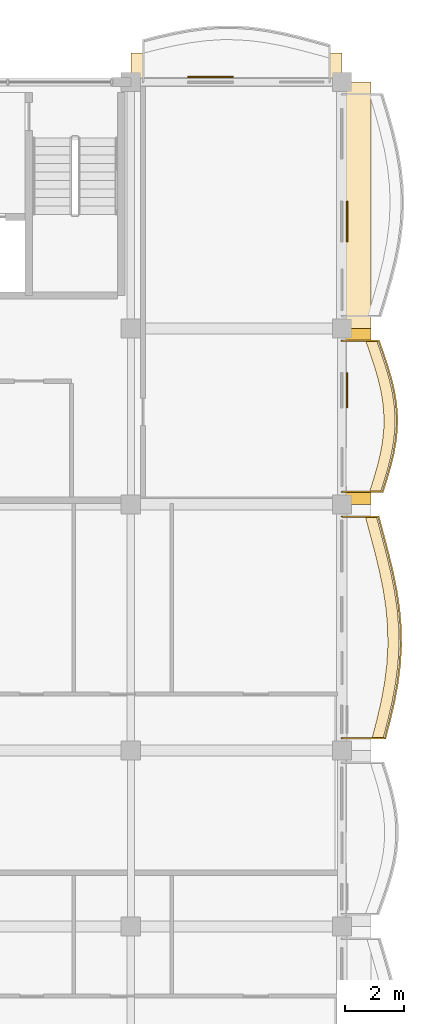
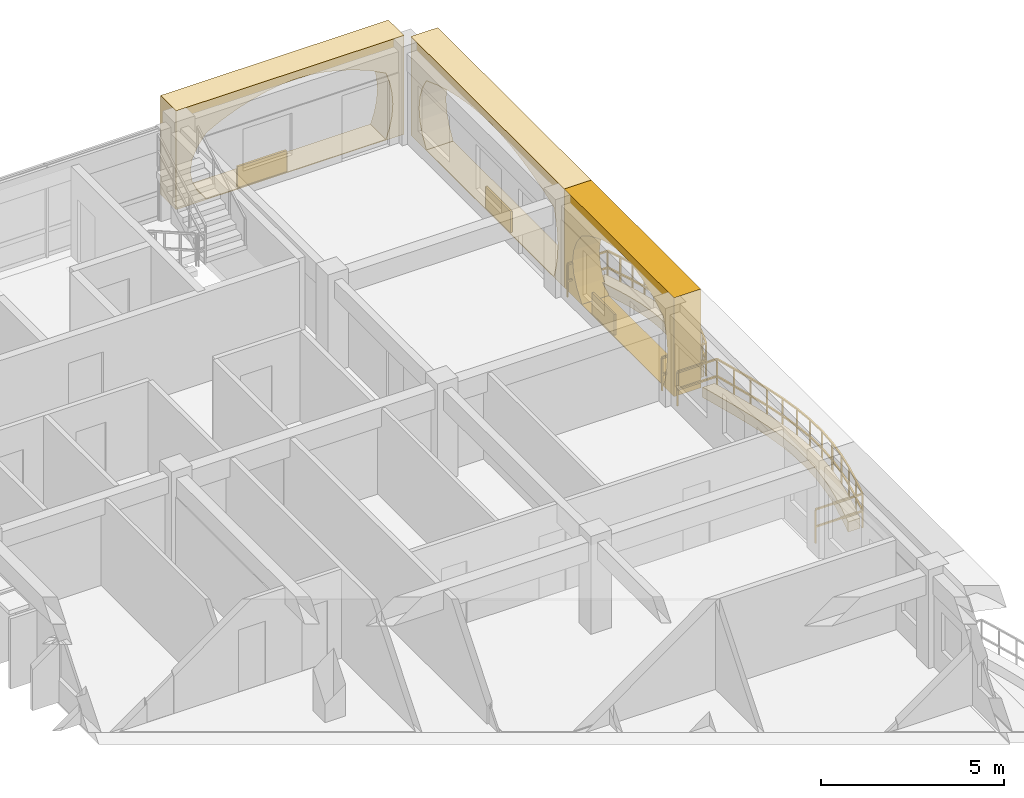
# One storey, part 65 of 66: 8 coverings, 2 railings.
"""IFC4 building model written with IfcOpenShell, lengths in metres."""

from ifc_helpers import new_model, si_unit, direction, frame, origin, origin_2d, place, context, subcontext, project, spatial, polyline, rectangle, outline, extrude, material, layer, layer_set, type_object, element, save


model = new_model("IFC4")

# Units and contexts
model_context = context("Model", 3, precision=1e-05, world=origin(), true_north=direction((0.0, 1.0)))
body_context = subcontext(model_context, "Body", "Model", "MODEL_VIEW")
ifc_project = project(units=[si_unit("LENGTHUNIT", "METRE"), si_unit("AREAUNIT", "SQUARE_METRE"), si_unit("VOLUMEUNIT", "CUBIC_METRE"), si_unit("PLANEANGLEUNIT", "RADIAN"), si_unit("MASSUNIT", "GRAM", prefix="KILO"), si_unit("THERMODYNAMICTEMPERATUREUNIT", "KELVIN")], contexts=[model_context])

# Site, building, storey
site_placement = place(None, origin())
site = spatial("IfcSite", under=ifc_project, at=site_placement, CompositionType="ELEMENT")
building_placement = place(site_placement, origin())
building = spatial("IfcBuilding", under=site, at=building_placement, Name="Thalorik Housing Commons", CompositionType="ELEMENT")
storey_placement = place(building_placement, frame((0.0, 0.0, 21.300048828125)))
storey = spatial("IfcBuildingStorey", under=building, at=storey_placement, Name="L06", CompositionType="ELEMENT", Elevation=21.300048828125)

# Coverings
ifc_material_1 = material(Name="Cobalt blue glazed ceramic facade tile panel", Category="masonry")
ifc_layer_1 = layer(ifc_material_1, 0.06005859375, Name="Cobalt blue glazed ceramic facade tile panel", Category="masonry")
ifc_layer_set_1 = layer_set([ifc_layer_1], Name="Cobalt blue glazed ceramic facade tile panel")
covering_type_1 = type_object("IfcCoveringType", Name="ARC-CLD-BLU-60", PredefinedType="CLADDING", material=ifc_layer_set_1)
covering_1_placement = place(storey_placement, frame((174.172607421875, 118.840087890625, 0.0498046875), z_axis=(0.0, 0.0, 1.0), x_axis=(0.0, 1.0, 0.0)))
element("IfcCovering", 1, at=covering_1_placement, inside=storey, type_object=covering_type_1, Name="L06 De Stijl Recessed Window Spandrel 2365", PredefinedType="CLADDING", context=body_context, shape_type="SweptSolid", body=[
    extrude(rectangle(XDim=1.3798828125, YDim=0.06005859375, at=origin_2d()), origin(), (0.0, 0.0, 1.0), 0.699951171875),
])
ifc_material_2 = material(Name="Precast concrete C40/50", Category="concrete")
ifc_layer_2 = layer(ifc_material_2, 0.85009765625, Name="Precast concrete C40/50", Category="concrete")
ifc_layer_set_2 = layer_set([ifc_layer_2], Name="Precast concrete C40/50")
covering_type_2 = type_object("IfcCoveringType", Name="ARC-CLD-CUSH-850", PredefinedType="CLADDING", material=ifc_layer_set_2)
covering_2_placement = place(storey_placement, frame((174.5625, 112.199951171875, 0.0), z_axis=(0.0, 0.0, 1.0), x_axis=(0.0, 1.0, 0.0)))
element("IfcCovering", 2, at=covering_2_placement, inside=storey, type_object=covering_type_2, Name="L06 White Precast Curved Cushion Bay Frame 2362", PredefinedType="CLADDING", context=body_context, shape_type="SweptSolid", body=[
    extrude(outline(polyline([(-3.0, 0.0), (3.0, 0.0), (3.0, 3.300048828125), (-3.0, 3.300048828125), (-3.0, 0.0)]), holes=[polyline([(2.0400390625, 0.02490234375), (2.3232421875, 0.407470703125), (2.493408203125, 0.7900390625), (2.550048828125, 1.172607421875), (2.493408203125, 1.554931640625), (2.3232421875, 1.9375), (2.0400390625, 2.320068359375), (1.66748046875, 2.539306640625), (1.294921875, 2.711181640625), (0.922607421875, 2.8505859375), (0.550048828125, 2.954345703125), (0.177490234375, 3.018310546875), (-0.195068359375, 3.0400390625), (-0.5673828125, 3.018310546875), (-0.93994140625, 2.954345703125), (-1.3125, 2.8505859375), (-1.68505859375, 2.711181640625), (-2.0576171875, 2.539306640625), (-2.429931640625, 2.320068359375), (-2.55029296875, 1.9375), (-2.62255859375, 1.554931640625), (-2.646484375, 1.172607421875), (-2.62255859375, 0.7900390625), (-2.55029296875, 0.407470703125), (-2.429931640625, 0.02490234375), (2.0400390625, 0.02490234375)])]), frame((0.0, 0.425048828125, 0.0), z_axis=(0.0, -1.0, 0.0), x_axis=(1.0, 0.0, 0.0)), (0.0, 0.0, 1.0), 0.85009765625),
])
covering_3_placement = place(storey_placement, frame((174.5625, 119.39990234375, 0.0), z_axis=(0.0, 0.0, 1.0), x_axis=(0.0, 1.0, 0.0)))
element("IfcCovering", 3, at=covering_3_placement, inside=storey, type_object=covering_type_2, Name="L06 White Precast Curved Cushion Bay Frame 2364", PredefinedType="CLADDING", context=body_context, shape_type="SweptSolid", body=[
    extrude(outline(polyline([(-4.199951171875, 0.0), (4.199951171875, 0.0), (4.199951171875, 3.300048828125), (-4.199951171875, 3.300048828125), (-4.199951171875, 0.0)]), holes=[polyline([(3.35009765625, 0.02490234375), (3.572265625, 0.410888671875), (3.70556640625, 0.796630859375), (3.75, 1.1826171875), (3.70556640625, 1.568359375), (3.572265625, 1.9541015625), (3.35009765625, 2.340087890625), (2.768310546875, 2.552978515625), (2.186767578125, 2.720458984375), (1.60498046875, 2.85595703125), (1.023193359375, 2.956787109375), (0.441650390625, 3.01904296875), (-0.139892578125, 3.0400390625), (-0.7216796875, 3.01904296875), (-1.30322265625, 2.956787109375), (-1.885009765625, 2.85595703125), (-2.466796875, 2.720458984375), (-3.04833984375, 2.552978515625), (-3.6298828125, 2.340087890625), (-3.750244140625, 1.9541015625), (-3.822509765625, 1.568359375), (-3.8466796875, 1.1826171875), (-3.822509765625, 0.796630859375), (-3.750244140625, 0.410888671875), (-3.6298828125, 0.02490234375), (3.35009765625, 0.02490234375)])]), frame((0.0, 0.425048828125, 0.0), z_axis=(0.0, -1.0, 0.0), x_axis=(1.0, 0.0, 0.0)), (0.0, 0.0, 1.0), 0.85009765625),
])
covering_4_placement = place(storey_placement, frame((170.39990234375, 124.16259765625, 0.0), z_axis=(0.0, 0.0, 1.0), x_axis=(-1.0, 0.0, 0.0)))
element("IfcCovering", 4, at=covering_4_placement, inside=storey, type_object=covering_type_2, Name="L06 White Precast Curved Cushion Bay Frame 2366", PredefinedType="CLADDING", context=body_context, shape_type="SweptSolid", body=[
    extrude(outline(polyline([(-3.60009765625, 0.0), (3.60009765625, 0.0), (3.60009765625, 3.300048828125), (-3.60009765625, 3.300048828125), (-3.60009765625, 0.0)]), holes=[polyline([(2.639892578125, 0.02490234375), (2.92333984375, 0.394287109375), (3.09326171875, 0.76318359375), (3.14990234375, 1.132568359375), (3.09326171875, 1.501708984375), (2.92333984375, 1.870849609375), (2.639892578125, 2.239990234375), (2.16748046875, 2.4833984375), (1.695068359375, 2.6748046875), (1.222412109375, 2.82958984375), (0.75, 2.94482421875), (0.277587890625, 3.01611328125), (-0.195068359375, 3.0400390625), (-0.66748046875, 3.01611328125), (-1.139892578125, 2.94482421875), (-1.612548828125, 2.82958984375), (-2.0849609375, 2.6748046875), (-2.5576171875, 2.4833984375), (-3.030029296875, 2.239990234375), (-3.150390625, 1.870849609375), (-3.222412109375, 1.501708984375), (-3.24658203125, 1.132568359375), (-3.222412109375, 0.76318359375), (-3.150390625, 0.394287109375), (-3.030029296875, 0.02490234375), (2.639892578125, 0.02490234375)])]), frame((0.0, 0.425048828125, 0.0), z_axis=(0.0, -1.0, 0.0), x_axis=(1.0, 0.0, 0.0)), (0.0, 0.0, 1.0), 0.85009765625),
])
ifc_material_3 = material(Name="Terracotta red mineral fibre-cement panel", Category="masonry")
ifc_layer_3 = layer(ifc_material_3, 0.054931640625, Name="Terracotta red mineral fibre-cement panel", Category="masonry")
ifc_layer_set_3 = layer_set([ifc_layer_3], Name="Terracotta red mineral fibre-cement panel")
covering_type_3 = type_object("IfcCoveringType", Name="ARC-CLD-RED-55", PredefinedType="CLADDING", material=ifc_layer_set_3)
covering_5_placement = place(storey_placement, frame((174.169921875, 113.090087890625, 0.0498046875), z_axis=(0.0, 0.0, 1.0), x_axis=(0.0, 1.0, 0.0)))
element("IfcCovering", 5, at=covering_5_placement, inside=storey, type_object=covering_type_3, Name="L06 De Stijl Recessed Window Spandrel 2363", PredefinedType="CLADDING", context=body_context, shape_type="SweptSolid", body=[
    extrude(rectangle(XDim=1.199951171875, YDim=0.054931640625, at=origin_2d()), origin(), (0.0, 0.0, 1.0), 0.699951171875),
])
ifc_material_4 = material(Name="Mineral ochre architectural terracotta panel", Category="masonry")
ifc_layer_4 = layer(ifc_material_4, 0.06494140625, Name="Mineral ochre architectural terracotta panel", Category="masonry")
ifc_layer_set_4 = layer_set([ifc_layer_4], Name="Mineral ochre architectural terracotta panel")
covering_type_4 = type_object("IfcCoveringType", Name="ARC-CLD-YEL-65", PredefinedType="CLADDING", material=ifc_layer_set_4)
covering_6_placement = place(storey_placement, frame((169.52490234375, 123.77490234375, 0.0498046875), z_axis=(0.0, 0.0, 1.0), x_axis=(-1.0, 0.0, 0.0)))
element("IfcCovering", 6, at=covering_6_placement, inside=storey, type_object=covering_type_4, Name="L06 De Stijl Recessed Window Spandrel 2367", PredefinedType="CLADDING", context=body_context, shape_type="SweptSolid", body=[
    extrude(rectangle(XDim=1.550048828125, YDim=0.06494140625, at=origin_2d()), origin(), (0.0, 0.0, 1.0), 0.699951171875),
])
ifc_material_5 = material(Name="Planted vegetated substrate and terracotta trough", Category="masonry")
ifc_layer_5 = layer(ifc_material_5, 0.340087890625, Name="Planted vegetated substrate and terracotta trough", Category="masonry")
ifc_layer_set_5 = layer_set([ifc_layer_5], Name="Planted vegetated substrate and terracotta trough")
covering_type_5 = type_object("IfcCoveringType", Name="ARC-COV-PLANTER", PredefinedType="USERDEFINED", material=ifc_layer_set_5)
covering_7_placement = place(storey_placement, origin())
element("IfcCovering", 7, at=covering_7_placement, inside=storey, type_object=covering_type_5, Name="L06 Balcony Slab-Edge Planted Trough 5496", ObjectType="PLANTER", PredefinedType="USERDEFINED", context=body_context, shape_type="SweptSolid", body=[
    extrude(outline(polyline([(175.32373046875, 109.6201171875), (175.4599609375, 110.050048828125), (175.58544921875, 110.47998046875), (175.690673828125, 110.909912109375), (175.767578125, 111.340087890625), (175.810791015625, 111.77001953125), (175.816650390625, 112.199951171875), (175.783935546875, 112.6298828125), (175.714599609375, 113.06005859375), (175.61328125, 113.489990234375), (175.486572265625, 113.919921875), (175.34326171875, 114.35009765625), (175.193115234375, 114.780029296875), (174.81298828125, 114.780029296875), (174.963134765625, 114.35009765625), (175.1064453125, 113.919921875), (175.233154296875, 113.489990234375), (175.334716796875, 113.06005859375), (175.40380859375, 112.6298828125), (175.4365234375, 112.199951171875), (175.430908203125, 111.77001953125), (175.3876953125, 111.340087890625), (175.310546875, 110.909912109375), (175.205322265625, 110.47998046875), (175.080078125, 110.050048828125), (174.943603515625, 109.6201171875), (175.32373046875, 109.6201171875)])), origin(), (0.0, 0.0, 1.0), 0.33984375),
])
covering_8_placement = place(storey_placement, origin())
element("IfcCovering", 8, at=covering_8_placement, inside=storey, type_object=covering_type_5, Name="L06 Balcony Slab-Edge Planted Trough 5501", ObjectType="PLANTER", PredefinedType="USERDEFINED", context=body_context, shape_type="SweptSolid", body=[
    extrude(outline(polyline([(175.4111328125, 101.219970703125), (175.576171875, 101.85009765625), (175.721435546875, 102.47998046875), (175.837158203125, 103.110107421875), (175.915283203125, 103.739990234375), (175.950927734375, 104.3701171875), (175.94189453125, 105.0), (175.888671875, 105.6298828125), (175.795166015625, 106.260009765625), (175.668212890625, 106.889892578125), (175.5166015625, 107.52001953125), (175.3505859375, 108.14990234375), (175.181884765625, 108.780029296875), (174.802001953125, 108.780029296875), (174.970703125, 108.14990234375), (175.13671875, 107.52001953125), (175.2880859375, 106.889892578125), (175.415283203125, 106.260009765625), (175.508544921875, 105.6298828125), (175.561767578125, 105.0), (175.571044921875, 104.3701171875), (175.535400390625, 103.739990234375), (175.45703125, 103.110107421875), (175.34130859375, 102.47998046875), (175.196044921875, 101.85009765625), (175.03125, 101.219970703125), (175.4111328125, 101.219970703125)])), origin(), (0.0, 0.0, 1.0), 0.33984375),
])

# Railings
ifc_material_6 = material(Name="Steel S355", Category="steel")
railing_type_1 = type_object("IfcRailingType", Name="ARC-RL-BAL-112", PredefinedType="BALUSTRADE", material=ifc_material_6)
railing_1_placement = place(storey_placement, frame((174.0, 109.6201171875, 0.0)))
element("IfcRailing", 9, at=railing_1_placement, inside=storey, type_object=railing_type_1, Name="L06 Cushion Balcony Guardrail 180", PredefinedType="BALUSTRADE", context=body_context, shape_type="SweptSolid", body=[
    extrude(rectangle(XDim=0.050048828125, YDim=0.050048828125, at=origin_2d()), frame((0.0, 0.0, 1.09521484375), z_axis=(1.0, 0.0, 0.0), x_axis=(0.0, 1.0, 0.0)), (0.0, 0.0, 1.0), 1.393798828125),
    extrude(rectangle(XDim=0.050048828125, YDim=0.050048828125, at=origin_2d()), frame((0.0, 0.0, 0.53515625), z_axis=(1.0, 0.0, 0.0), x_axis=(0.0, 1.0, 0.0)), (0.0, 0.0, 1.0), 1.393798828125),
    extrude(rectangle(XDim=0.050048828125, YDim=0.050048828125, at=origin_2d()), frame((1.393798828125, 0.0, 1.09521484375), z_axis=(0.302063898652, 0.953287680153, 0.0), x_axis=(-0.953287680153, 0.302063898652, 0.0)), (0.0, 0.0, 1.0), 0.450927734375),
    extrude(rectangle(XDim=0.050048828125, YDim=0.050048828125, at=origin_2d()), frame((1.393798828125, 0.0, 0.53515625), z_axis=(0.302063898652, 0.953287680153, 0.0), x_axis=(-0.953287680153, 0.302063898652, 0.0)), (0.0, 0.0, 1.0), 0.450927734375),
    extrude(rectangle(XDim=0.050048828125, YDim=0.050048828125, at=origin_2d()), frame((1.530029296875, 0.429931640625, 1.09521484375), z_axis=(0.280188385866, 0.959945034065, 0.0), x_axis=(-0.959945034065, 0.280188385866, 0.0)), (0.0, 0.0, 1.0), 0.44775390625),
    extrude(rectangle(XDim=0.050048828125, YDim=0.050048828125, at=origin_2d()), frame((1.530029296875, 0.429931640625, 0.53515625), z_axis=(0.280188385866, 0.959945034065, 0.0), x_axis=(-0.959945034065, 0.280188385866, 0.0)), (0.0, 0.0, 1.0), 0.44775390625),
    extrude(rectangle(XDim=0.050048828125, YDim=0.050048828125, at=origin_2d()), frame((1.655517578125, 0.85986328125, 1.09521484375), z_axis=(0.23721016101, 0.971458357066, 0.0), x_axis=(-0.971458357066, 0.23721016101, 0.0)), (0.0, 0.0, 1.0), 0.442626953125),
    extrude(rectangle(XDim=0.050048828125, YDim=0.050048828125, at=origin_2d()), frame((1.655517578125, 0.85986328125, 0.53515625), z_axis=(0.23721016101, 0.971458357066, 0.0), x_axis=(-0.971458357066, 0.23721016101, 0.0)), (0.0, 0.0, 1.0), 0.442626953125),
    extrude(rectangle(XDim=0.050048828125, YDim=0.050048828125, at=origin_2d()), frame((1.760498046875, 1.289794921875, 1.09521484375), z_axis=(0.17652529448, 0.98429610403, 0.0), x_axis=(-0.98429610403, 0.17652529448, 0.0)), (0.0, 0.0, 1.0), 0.43701171875),
    extrude(rectangle(XDim=0.050048828125, YDim=0.050048828125, at=origin_2d()), frame((1.760498046875, 1.289794921875, 0.53515625), z_axis=(0.17652529448, 0.98429610403, 0.0), x_axis=(-0.98429610403, 0.17652529448, 0.0)), (0.0, 0.0, 1.0), 0.43701171875),
    extrude(rectangle(XDim=0.050048828125, YDim=0.050048828125, at=origin_2d()), frame((1.837646484375, 1.719970703125, 1.09521484375), z_axis=(0.100007182618, 0.9949867152, 0.0), x_axis=(-0.9949867152, 0.100007182618, 0.0)), (0.0, 0.0, 1.0), 0.43212890625),
    extrude(rectangle(XDim=0.050048828125, YDim=0.050048828125, at=origin_2d()), frame((1.837646484375, 1.719970703125, 0.53515625), z_axis=(0.100007182618, 0.9949867152, 0.0), x_axis=(-0.9949867152, 0.100007182618, 0.0)), (0.0, 0.0, 1.0), 0.43212890625),
    extrude(rectangle(XDim=0.050048828125, YDim=0.050048828125, at=origin_2d()), frame((1.880859375, 2.14990234375, 1.09521484375), z_axis=(0.013627354593, 0.999907143292, 0.0), x_axis=(-0.999907143292, 0.013627354593, 0.0)), (0.0, 0.0, 1.0), 0.429931640625),
    extrude(rectangle(XDim=0.050048828125, YDim=0.050048828125, at=origin_2d()), frame((1.880859375, 2.14990234375, 0.53515625), z_axis=(0.013627354593, 0.999907143292, 0.0), x_axis=(-0.999907143292, 0.013627354593, 0.0)), (0.0, 0.0, 1.0), 0.429931640625),
    extrude(rectangle(XDim=0.050048828125, YDim=0.050048828125, at=origin_2d()), frame((1.88671875, 2.579833984375, 1.09521484375), z_axis=(-0.075873785115, 0.997117429761, 0.0), x_axis=(-0.997117429761, -0.075873785115, 0.0)), (0.0, 0.0, 1.0), 0.43115234375),
    extrude(rectangle(XDim=0.050048828125, YDim=0.050048828125, at=origin_2d()), frame((1.88671875, 2.579833984375, 0.53515625), z_axis=(-0.075873785115, 0.997117429761, 0.0), x_axis=(-0.997117429761, -0.075873785115, 0.0)), (0.0, 0.0, 1.0), 0.43115234375),
    extrude(rectangle(XDim=0.050048828125, YDim=0.050048828125, at=origin_2d()), frame((1.85400390625, 3.009765625, 1.09521484375), z_axis=(-0.159126741351, 0.987258162887, 0.0), x_axis=(-0.987258162887, -0.159126741351, 0.0)), (0.0, 0.0, 1.0), 0.435791015625),
    extrude(rectangle(XDim=0.050048828125, YDim=0.050048828125, at=origin_2d()), frame((1.85400390625, 3.009765625, 0.53515625), z_axis=(-0.159126741351, 0.987258162887, 0.0), x_axis=(-0.987258162887, -0.159126741351, 0.0)), (0.0, 0.0, 1.0), 0.435791015625),
    extrude(rectangle(XDim=0.050048828125, YDim=0.050048828125, at=origin_2d()), frame((1.78466796875, 3.43994140625, 1.09521484375), z_axis=(-0.229901737727, 0.973213846485, 0.0), x_axis=(-0.973213846485, -0.229901737727, 0.0)), (0.0, 0.0, 1.0), 0.441650390625),
    extrude(rectangle(XDim=0.050048828125, YDim=0.050048828125, at=origin_2d()), frame((1.78466796875, 3.43994140625, 0.53515625), z_axis=(-0.229901737727, 0.973213846485, 0.0), x_axis=(-0.973213846485, -0.229901737727, 0.0)), (0.0, 0.0, 1.0), 0.441650390625),
    extrude(rectangle(XDim=0.050048828125, YDim=0.050048828125, at=origin_2d()), frame((1.68310546875, 3.869873046875, 1.09521484375), z_axis=(-0.28269709896, 0.959209231732, 0.0), x_axis=(-0.959209231732, -0.28269709896, 0.0)), (0.0, 0.0, 1.0), 0.4482421875),
    extrude(rectangle(XDim=0.050048828125, YDim=0.050048828125, at=origin_2d()), frame((1.68310546875, 3.869873046875, 0.53515625), z_axis=(-0.28269709896, 0.959209231732, 0.0), x_axis=(-0.959209231732, -0.28269709896, 0.0)), (0.0, 0.0, 1.0), 0.4482421875),
    extrude(rectangle(XDim=0.050048828125, YDim=0.050048828125, at=origin_2d()), frame((1.556396484375, 4.2998046875, 1.09521484375), z_axis=(-0.316066228437, 0.94873712863, 0.0), x_axis=(-0.94873712863, -0.316066228437, 0.0)), (0.0, 0.0, 1.0), 0.453369140625),
    extrude(rectangle(XDim=0.050048828125, YDim=0.050048828125, at=origin_2d()), frame((1.556396484375, 4.2998046875, 0.53515625), z_axis=(-0.316066228437, 0.94873712863, 0.0), x_axis=(-0.94873712863, -0.316066228437, 0.0)), (0.0, 0.0, 1.0), 0.453369140625),
    extrude(rectangle(XDim=0.050048828125, YDim=0.050048828125, at=origin_2d()), frame((1.4130859375, 4.72998046875, 1.09521484375), z_axis=(-0.329705586874, 0.944083802416, 0.0), x_axis=(-0.944083802416, -0.329705586874, 0.0)), (0.0, 0.0, 1.0), 0.455322265625),
    extrude(rectangle(XDim=0.050048828125, YDim=0.050048828125, at=origin_2d()), frame((1.4130859375, 4.72998046875, 0.53515625), z_axis=(-0.329705586874, 0.944083802416, 0.0), x_axis=(-0.944083802416, -0.329705586874, 0.0)), (0.0, 0.0, 1.0), 0.455322265625),
    extrude(rectangle(XDim=0.050048828125, YDim=0.050048828125, at=origin_2d()), frame((1.262939453125, 5.159912109375, 1.09521484375), z_axis=(-1.0, 0.0, 0.0), x_axis=(0.0, -1.0, 0.0)), (0.0, 0.0, 1.0), 1.262939453125),
    extrude(rectangle(XDim=0.050048828125, YDim=0.050048828125, at=origin_2d()), frame((1.262939453125, 5.159912109375, 0.53515625), z_axis=(-1.0, 0.0, 0.0), x_axis=(0.0, -1.0, 0.0)), (0.0, 0.0, 1.0), 1.262939453125),
    extrude(rectangle(XDim=0.0419921875, YDim=0.0419921875, at=origin_2d()), origin(), (0.0, 0.0, 1.0), 1.070068359375),
    extrude(rectangle(XDim=0.0419921875, YDim=0.0419921875, at=origin_2d()), frame((1.393798828125, 0.0, 0.0)), (0.0, 0.0, 1.0), 1.070068359375),
    extrude(rectangle(XDim=0.0419921875, YDim=0.0419921875, at=origin_2d()), frame((1.530029296875, 0.429931640625, 0.0)), (0.0, 0.0, 1.0), 1.070068359375),
    extrude(rectangle(XDim=0.0419921875, YDim=0.0419921875, at=origin_2d()), frame((1.655517578125, 0.85986328125, 0.0)), (0.0, 0.0, 1.0), 1.070068359375),
    extrude(rectangle(XDim=0.0419921875, YDim=0.0419921875, at=origin_2d()), frame((1.760498046875, 1.289794921875, 0.0)), (0.0, 0.0, 1.0), 1.070068359375),
    extrude(rectangle(XDim=0.0419921875, YDim=0.0419921875, at=origin_2d()), frame((1.837646484375, 1.719970703125, 0.0)), (0.0, 0.0, 1.0), 1.070068359375),
    extrude(rectangle(XDim=0.0419921875, YDim=0.0419921875, at=origin_2d()), frame((1.880859375, 2.14990234375, 0.0)), (0.0, 0.0, 1.0), 1.070068359375),
    extrude(rectangle(XDim=0.0419921875, YDim=0.0419921875, at=origin_2d()), frame((1.88671875, 2.579833984375, 0.0)), (0.0, 0.0, 1.0), 1.070068359375),
    extrude(rectangle(XDim=0.0419921875, YDim=0.0419921875, at=origin_2d()), frame((1.85400390625, 3.009765625, 0.0)), (0.0, 0.0, 1.0), 1.070068359375),
    extrude(rectangle(XDim=0.0419921875, YDim=0.0419921875, at=origin_2d()), frame((1.78466796875, 3.43994140625, 0.0)), (0.0, 0.0, 1.0), 1.070068359375),
    extrude(rectangle(XDim=0.0419921875, YDim=0.0419921875, at=origin_2d()), frame((1.68310546875, 3.869873046875, 0.0)), (0.0, 0.0, 1.0), 1.070068359375),
    extrude(rectangle(XDim=0.0419921875, YDim=0.0419921875, at=origin_2d()), frame((1.556396484375, 4.2998046875, 0.0)), (0.0, 0.0, 1.0), 1.070068359375),
    extrude(rectangle(XDim=0.0419921875, YDim=0.0419921875, at=origin_2d()), frame((1.4130859375, 4.72998046875, 0.0)), (0.0, 0.0, 1.0), 1.070068359375),
    extrude(rectangle(XDim=0.0419921875, YDim=0.0419921875, at=origin_2d()), frame((1.262939453125, 5.159912109375, 0.0)), (0.0, 0.0, 1.0), 1.070068359375),
    extrude(rectangle(XDim=0.0419921875, YDim=0.0419921875, at=origin_2d()), frame((0.0, 5.159912109375, 0.0)), (0.0, 0.0, 1.0), 1.070068359375),
])
railing_type_2 = type_object("IfcRailingType", Name="ARC-RL-BAL-115", PredefinedType="BALUSTRADE", material=ifc_material_6)
railing_2_placement = place(storey_placement, frame((174.0, 101.219970703125, 0.0)))
element("IfcRailing", 10, at=railing_2_placement, inside=storey, type_object=railing_type_2, Name="L06 Cushion Balcony Guardrail 185", PredefinedType="BALUSTRADE", context=body_context, shape_type="SweptSolid", body=[
    extrude(rectangle(XDim=0.050048828125, YDim=0.050048828125, at=origin_2d()), frame((0.0, 0.0, 1.125), z_axis=(1.0, 0.0, 0.0), x_axis=(0.0, 1.0, 0.0)), (0.0, 0.0, 1.0), 1.481201171875),
    extrude(rectangle(XDim=0.050048828125, YDim=0.050048828125, at=origin_2d()), frame((0.0, 0.0, 0.5498046875), z_axis=(1.0, 0.0, 0.0), x_axis=(0.0, 1.0, 0.0)), (0.0, 0.0, 1.0), 1.481201171875),
    extrude(rectangle(XDim=0.050048828125, YDim=0.050048828125, at=origin_2d()), frame((1.481201171875, 0.0, 1.125), z_axis=(0.253016949254, 0.967461845961, 0.0), x_axis=(-0.967461845961, 0.253016949254, 0.0)), (0.0, 0.0, 1.0), 0.6513671875),
    extrude(rectangle(XDim=0.050048828125, YDim=0.050048828125, at=origin_2d()), frame((1.481201171875, 0.0, 0.5498046875), z_axis=(0.253016949254, 0.967461845961, 0.0), x_axis=(-0.967461845961, 0.253016949254, 0.0)), (0.0, 0.0, 1.0), 0.6513671875),
    extrude(rectangle(XDim=0.050048828125, YDim=0.050048828125, at=origin_2d()), frame((1.64599609375, 0.630126953125, 1.125), z_axis=(0.225080151108, 0.974340251441, 0.0), x_axis=(-0.974340251441, 0.225080151108, 0.0)), (0.0, 0.0, 1.0), 0.646484375),
    extrude(rectangle(XDim=0.050048828125, YDim=0.050048828125, at=origin_2d()), frame((1.64599609375, 0.630126953125, 0.5498046875), z_axis=(0.225080151108, 0.974340251441, 0.0), x_axis=(-0.974340251441, 0.225080151108, 0.0)), (0.0, 0.0, 1.0), 0.646484375),
    extrude(rectangle(XDim=0.050048828125, YDim=0.050048828125, at=origin_2d()), frame((1.79150390625, 1.260009765625, 1.125), z_axis=(0.180260272092, 0.983618947716, 0.0), x_axis=(-0.983618947716, 0.180260272092, 0.0)), (0.0, 0.0, 1.0), 0.640625),
    extrude(rectangle(XDim=0.050048828125, YDim=0.050048828125, at=origin_2d()), frame((1.79150390625, 1.260009765625, 0.5498046875), z_axis=(0.180260272092, 0.983618947716, 0.0), x_axis=(-0.983618947716, 0.180260272092, 0.0)), (0.0, 0.0, 1.0), 0.640625),
    extrude(rectangle(XDim=0.050048828125, YDim=0.050048828125, at=origin_2d()), frame((1.906982421875, 1.89013671875, 1.125), z_axis=(0.123466643438, 0.992348722959, 0.0), x_axis=(-0.992348722959, 0.123466643438, 0.0)), (0.0, 0.0, 1.0), 0.634765625),
    extrude(rectangle(XDim=0.050048828125, YDim=0.050048828125, at=origin_2d()), frame((1.906982421875, 1.89013671875, 0.5498046875), z_axis=(0.123466643438, 0.992348722959, 0.0), x_axis=(-0.992348722959, 0.123466643438, 0.0)), (0.0, 0.0, 1.0), 0.634765625),
    extrude(rectangle(XDim=0.050048828125, YDim=0.050048828125, at=origin_2d()), frame((1.9853515625, 2.52001953125, 1.125), z_axis=(0.056476935297, 0.998403904129, 0.0), x_axis=(-0.998403904129, 0.056476935297, 0.0)), (0.0, 0.0, 1.0), 0.631103515625),
    extrude(rectangle(XDim=0.050048828125, YDim=0.050048828125, at=origin_2d()), frame((1.9853515625, 2.52001953125, 0.5498046875), z_axis=(0.056476935297, 0.998403904129, 0.0), x_axis=(-0.998403904129, 0.056476935297, 0.0)), (0.0, 0.0, 1.0), 0.631103515625),
    extrude(rectangle(XDim=0.050048828125, YDim=0.050048828125, at=origin_2d()), frame((2.02099609375, 3.150146484375, 1.125), z_axis=(-0.014727084854, 0.999891550605, 0.0), x_axis=(-0.999891550605, -0.014727084854, 0.0)), (0.0, 0.0, 1.0), 0.6298828125),
    extrude(rectangle(XDim=0.050048828125, YDim=0.050048828125, at=origin_2d()), frame((2.02099609375, 3.150146484375, 0.5498046875), z_axis=(-0.014727084854, 0.999891550605, 0.0), x_axis=(-0.999891550605, -0.014727084854, 0.0)), (0.0, 0.0, 1.0), 0.6298828125),
    extrude(rectangle(XDim=0.050048828125, YDim=0.050048828125, at=origin_2d()), frame((2.01171875, 3.780029296875, 1.125), z_axis=(-0.084196095588, 0.99644920467, 0.0), x_axis=(-0.99644920467, -0.084196095588, 0.0)), (0.0, 0.0, 1.0), 0.632080078125),
    extrude(rectangle(XDim=0.050048828125, YDim=0.050048828125, at=origin_2d()), frame((2.01171875, 3.780029296875, 0.5498046875), z_axis=(-0.084196095588, 0.99644920467, 0.0), x_axis=(-0.99644920467, -0.084196095588, 0.0)), (0.0, 0.0, 1.0), 0.632080078125),
    extrude(rectangle(XDim=0.050048828125, YDim=0.050048828125, at=origin_2d()), frame((1.95849609375, 4.409912109375, 1.125), z_axis=(-0.146409755839, 0.989224030943, 0.0), x_axis=(-0.989224030943, -0.146409755839, 0.0)), (0.0, 0.0, 1.0), 0.636962890625),
    extrude(rectangle(XDim=0.050048828125, YDim=0.050048828125, at=origin_2d()), frame((1.95849609375, 4.409912109375, 0.5498046875), z_axis=(-0.146409755839, 0.989224030943, 0.0), x_axis=(-0.989224030943, -0.146409755839, 0.0)), (0.0, 0.0, 1.0), 0.636962890625),
    extrude(rectangle(XDim=0.050048828125, YDim=0.050048828125, at=origin_2d()), frame((1.865234375, 5.0400390625, 1.125), z_axis=(-0.19757728782, 0.980287312647, 0.0), x_axis=(-0.980287312647, -0.19757728782, 0.0)), (0.0, 0.0, 1.0), 0.642578125),
    extrude(rectangle(XDim=0.050048828125, YDim=0.050048828125, at=origin_2d()), frame((1.865234375, 5.0400390625, 0.5498046875), z_axis=(-0.19757728782, 0.980287312647, 0.0), x_axis=(-0.980287312647, -0.19757728782, 0.0)), (0.0, 0.0, 1.0), 0.642578125),
    extrude(rectangle(XDim=0.050048828125, YDim=0.050048828125, at=origin_2d()), frame((1.73828125, 5.669921875, 1.125), z_axis=(-0.23392855603, 0.972253789231, 0.0), x_axis=(-0.972253789231, -0.23392855603, 0.0)), (0.0, 0.0, 1.0), 0.648193359375),
    extrude(rectangle(XDim=0.050048828125, YDim=0.050048828125, at=origin_2d()), frame((1.73828125, 5.669921875, 0.5498046875), z_axis=(-0.23392855603, 0.972253789231, 0.0), x_axis=(-0.972253789231, -0.23392855603, 0.0)), (0.0, 0.0, 1.0), 0.648193359375),
    extrude(rectangle(XDim=0.050048828125, YDim=0.050048828125, at=origin_2d()), frame((1.586669921875, 6.300048828125, 1.125), z_axis=(-0.25486225232, 0.966977369095, 0.0), x_axis=(-0.966977369095, -0.25486225232, 0.0)), (0.0, 0.0, 1.0), 0.6513671875),
    extrude(rectangle(XDim=0.050048828125, YDim=0.050048828125, at=origin_2d()), frame((1.586669921875, 6.300048828125, 0.5498046875), z_axis=(-0.25486225232, 0.966977369095, 0.0), x_axis=(-0.966977369095, -0.25486225232, 0.0)), (0.0, 0.0, 1.0), 0.6513671875),
    extrude(rectangle(XDim=0.050048828125, YDim=0.050048828125, at=origin_2d()), frame((1.420654296875, 6.929931640625, 1.125), z_axis=(-0.258617601068, 0.965979780543, 0.0), x_axis=(-0.965979780543, -0.258617601068, 0.0)), (0.0, 0.0, 1.0), 0.65234375),
    extrude(rectangle(XDim=0.050048828125, YDim=0.050048828125, at=origin_2d()), frame((1.420654296875, 6.929931640625, 0.5498046875), z_axis=(-0.258617601068, 0.965979780543, 0.0), x_axis=(-0.965979780543, -0.258617601068, 0.0)), (0.0, 0.0, 1.0), 0.65234375),
    extrude(rectangle(XDim=0.050048828125, YDim=0.050048828125, at=origin_2d()), frame((1.251953125, 7.56005859375, 1.125), z_axis=(-1.0, 0.0, 0.0), x_axis=(0.0, -1.0, 0.0)), (0.0, 0.0, 1.0), 1.251953125),
    extrude(rectangle(XDim=0.050048828125, YDim=0.050048828125, at=origin_2d()), frame((1.251953125, 7.56005859375, 0.5498046875), z_axis=(-1.0, 0.0, 0.0), x_axis=(0.0, -1.0, 0.0)), (0.0, 0.0, 1.0), 1.251953125),
    extrude(rectangle(XDim=0.0419921875, YDim=0.0419921875, at=origin_2d()), origin(), (0.0, 0.0, 1.0), 1.099853515625),
    extrude(rectangle(XDim=0.0419921875, YDim=0.0419921875, at=origin_2d()), frame((1.481201171875, 0.0, 0.0)), (0.0, 0.0, 1.0), 1.099853515625),
    extrude(rectangle(XDim=0.0419921875, YDim=0.0419921875, at=origin_2d()), frame((1.64599609375, 0.630126953125, 0.0)), (0.0, 0.0, 1.0), 1.099853515625),
    extrude(rectangle(XDim=0.0419921875, YDim=0.0419921875, at=origin_2d()), frame((1.79150390625, 1.260009765625, 0.0)), (0.0, 0.0, 1.0), 1.099853515625),
    extrude(rectangle(XDim=0.0419921875, YDim=0.0419921875, at=origin_2d()), frame((1.906982421875, 1.89013671875, 0.0)), (0.0, 0.0, 1.0), 1.099853515625),
    extrude(rectangle(XDim=0.0419921875, YDim=0.0419921875, at=origin_2d()), frame((1.9853515625, 2.52001953125, 0.0)), (0.0, 0.0, 1.0), 1.099853515625),
    extrude(rectangle(XDim=0.0419921875, YDim=0.0419921875, at=origin_2d()), frame((2.02099609375, 3.150146484375, 0.0)), (0.0, 0.0, 1.0), 1.099853515625),
    extrude(rectangle(XDim=0.0419921875, YDim=0.0419921875, at=origin_2d()), frame((2.01171875, 3.780029296875, 0.0)), (0.0, 0.0, 1.0), 1.099853515625),
    extrude(rectangle(XDim=0.0419921875, YDim=0.0419921875, at=origin_2d()), frame((1.95849609375, 4.409912109375, 0.0)), (0.0, 0.0, 1.0), 1.099853515625),
    extrude(rectangle(XDim=0.0419921875, YDim=0.0419921875, at=origin_2d()), frame((1.865234375, 5.0400390625, 0.0)), (0.0, 0.0, 1.0), 1.099853515625),
    extrude(rectangle(XDim=0.0419921875, YDim=0.0419921875, at=origin_2d()), frame((1.73828125, 5.669921875, 0.0)), (0.0, 0.0, 1.0), 1.099853515625),
    extrude(rectangle(XDim=0.0419921875, YDim=0.0419921875, at=origin_2d()), frame((1.586669921875, 6.300048828125, 0.0)), (0.0, 0.0, 1.0), 1.099853515625),
    extrude(rectangle(XDim=0.0419921875, YDim=0.0419921875, at=origin_2d()), frame((1.420654296875, 6.929931640625, 0.0)), (0.0, 0.0, 1.0), 1.099853515625),
    extrude(rectangle(XDim=0.0419921875, YDim=0.0419921875, at=origin_2d()), frame((1.251953125, 7.56005859375, 0.0)), (0.0, 0.0, 1.0), 1.099853515625),
    extrude(rectangle(XDim=0.0419921875, YDim=0.0419921875, at=origin_2d()), frame((0.0, 7.56005859375, 0.0)), (0.0, 0.0, 1.0), 1.099853515625),
])

save(model, "model.ifc")
